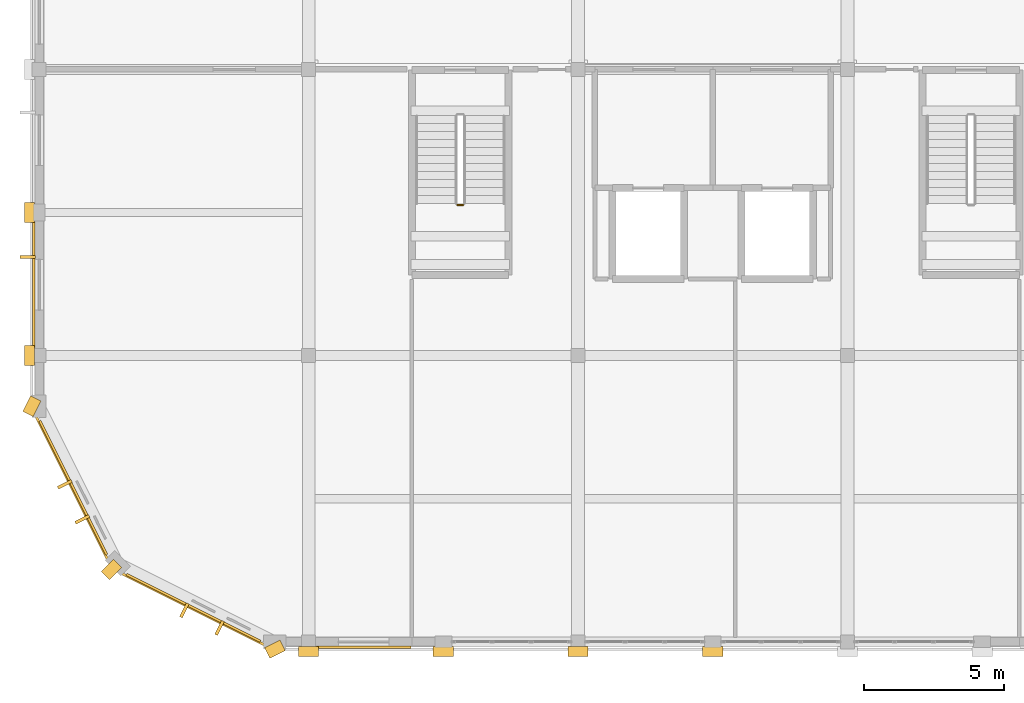
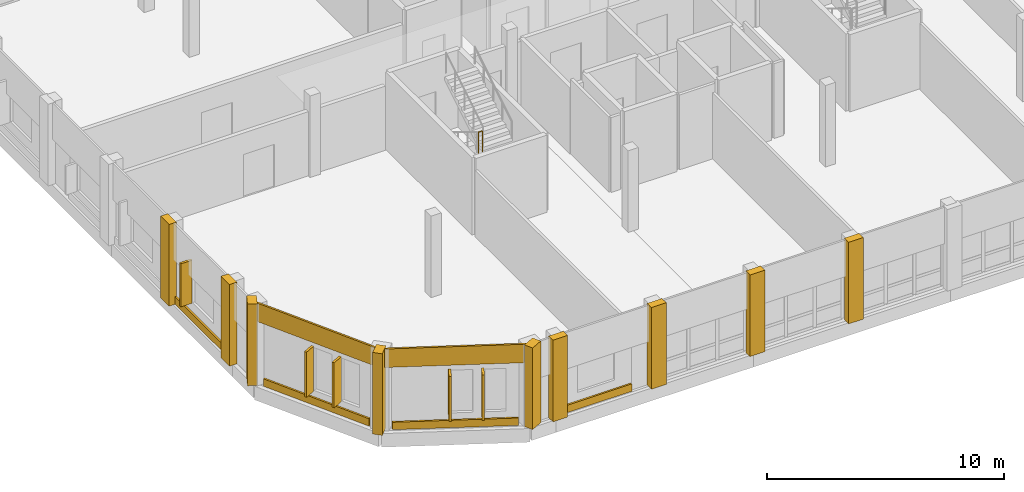
# One storey, part 24 of 29: 15 coverings, 5 shading devices, 1 railing.
"""IFC4 building model written with IfcOpenShell, lengths in metres."""

from ifc_helpers import new_model, si_unit, direction, frame, origin, origin_2d, place, context, subcontext, project, spatial, rectangle, circle, extrude, material, layer, layer_set, type_object, element, save


model = new_model("IFC4")

# Units and contexts
model_context = context("Model", 3, precision=1e-05, world=origin(), true_north=direction((0.0, 1.0)))
body_context = subcontext(model_context, "Body", "Model", "MODEL_VIEW")
ifc_project = project(units=[si_unit("LENGTHUNIT", "METRE"), si_unit("AREAUNIT", "SQUARE_METRE"), si_unit("VOLUMEUNIT", "CUBIC_METRE"), si_unit("PLANEANGLEUNIT", "RADIAN"), si_unit("MASSUNIT", "GRAM", prefix="KILO")], contexts=[model_context])

# Site, building, storey
site_placement = place(None, origin())
site = spatial("IfcSite", under=ifc_project, at=site_placement, CompositionType="ELEMENT")
building_placement = place(site_placement, origin())
building = spatial("IfcBuilding", under=site, at=building_placement, Name="Vondelvale Polytechnic", CompositionType="ELEMENT")
storey_placement = place(building_placement, frame((0.0, 0.0, 26.39990234375)))
storey = spatial("IfcBuildingStorey", under=building, at=storey_placement, Name="L06", CompositionType="ELEMENT", Elevation=26.39990234375)

# Coverings
ifc_material_1 = material(Name="Amsterdam School iron-spot clinker clay brickwork", Category="masonry")
ifc_layer_1 = layer(ifc_material_1, 0.090087890625)
ifc_layer_set_1 = layer_set([ifc_layer_1], Name="COV-BRICK-RELIEF")
covering_type = type_object("IfcCoveringType", Name="COV-BRICK-RELIEF", PredefinedType="CLADDING", material=ifc_layer_set_1)
for number, where, z_axis, x_axis, name in (
    (1, (5.4814453125, 1.1630859375, 3.25), (0.0, 0.0, 1.0), (-0.89438856037, 0.447290848419, 0.0), "L06 exterior masonry spandrel band"),
    (2, (1.1630859375, 5.4814453125, 3.25), (0.0, 0.0, 1.0), (-0.447290848419, 0.89438856037, 0.0), "L06 exterior masonry spandrel band"),
):
    element("IfcCovering", number, at=place(storey_placement, frame(where, z_axis=z_axis, x_axis=x_axis)), inside=storey, type_object=covering_type, Name=name, PredefinedType="CLADDING", context=body_context, shape_type="SweptSolid", body=[
        extrude(rectangle(XDim=6.260986328125, YDim=0.090087890625, at=origin_2d()), origin(), (0.0, 0.0, 1.0), 0.949951171875),
    ])
for number, where, z_axis, x_axis, name in (
    (3, (5.491943359375, 1.212646484375, 0.000244140625), (0.0, 0.0, 1.0), (-0.89438856037, 0.447290848419, 0.0), "L06 exterior corbelled masonry relief band"),
    (4, (1.212646484375, 5.491943359375, 0.000244140625), (0.0, 0.0, 1.0), (-0.447290848419, 0.89438856037, 0.0), "L06 exterior corbelled masonry relief band"),
):
    element("IfcCovering", number, at=place(storey_placement, frame(where, z_axis=z_axis, x_axis=x_axis)), inside=storey, type_object=covering_type, Name=name, PredefinedType="CLADDING", context=body_context, shape_type="SweptSolid", body=[
        extrude(rectangle(XDim=5.330078125, YDim=0.090087890625, at=origin_2d()), origin(), (0.0, 0.0, 1.0), 0.3798828125),
    ])
covering_1_placement = place(storey_placement, frame((11.56298828125, -0.19091796875, 0.000244140625), z_axis=(0.0, 0.0, 1.0), x_axis=(-1.0, 0.0, 0.0)))
element("IfcCovering", 5, at=covering_1_placement, inside=storey, type_object=covering_type, Name="L06 exterior corbelled masonry relief band", PredefinedType="CLADDING", context=body_context, shape_type="SweptSolid", body=[
    extrude(rectangle(XDim=3.364013671875, YDim=0.090087890625, at=origin_2d()), origin(), (0.0, 0.0, 1.0), 0.3798828125),
])
covering_2_placement = place(storey_placement, frame((-0.19091796875, 12.72509765625, 0.000244140625), z_axis=(0.0, 0.0, 1.0), x_axis=(0.0, 1.0, 0.0)))
element("IfcCovering", 6, at=covering_2_placement, inside=storey, type_object=covering_type, Name="L06 exterior corbelled masonry relief band", PredefinedType="CLADDING", context=body_context, shape_type="SweptSolid", body=[
    extrude(rectangle(XDim=4.488037109375, YDim=0.090087890625, at=origin_2d()), origin(), (0.0, 0.0, 1.0), 0.3798828125),
])
for number, where, z_axis, x_axis, name in (
    (7, (9.60009765625, -0.340087890625, 0.0), (0.0, 0.0, 1.0), (1.0, 0.0, 0.0), "L06 Classical street pilaster"),
    (8, (14.39990234375, -0.340087890625, 0.0), (0.0, 0.0, 1.0), (1.0, 0.0, 0.0), "L06 Classical street pilaster"),
    (9, (19.199951171875, -0.340087890625, 0.0), (0.0, 0.0, 1.0), (1.0, 0.0, 0.0), "L06 Classical street pilaster"),
    (10, (24.0, -0.340087890625, 0.0), (0.0, 0.0, 1.0), (1.0, 0.0, 0.0), "L06 Classical street pilaster"),
):
    element("IfcCovering", number, at=place(storey_placement, frame(where, z_axis=z_axis, x_axis=x_axis)), inside=storey, type_object=covering_type, Name=name, PredefinedType="CLADDING", context=body_context, shape_type="SweptSolid", body=[
        extrude(rectangle(XDim=0.719970703125, YDim=0.360107421875, at=origin_2d()), origin(), (0.0, 0.0, 1.0), 4.199951171875),
    ])
for number, where, z_axis, x_axis, name in (
    (11, (-0.340087890625, 10.199951171875, 0.0), (0.0, 0.0, 1.0), (1.0, 0.0, 0.0), "L06 Classical street pilaster"),
    (12, (-0.340087890625, 15.300048828125, 0.0), (0.0, 0.0, 1.0), (1.0, 0.0, 0.0), "L06 Classical street pilaster"),
):
    element("IfcCovering", number, at=place(storey_placement, frame(where, z_axis=z_axis, x_axis=x_axis)), inside=storey, type_object=covering_type, Name=name, PredefinedType="CLADDING", context=body_context, shape_type="SweptSolid", body=[
        extrude(rectangle(XDim=0.360107421875, YDim=0.719970703125, at=origin_2d()), origin(), (0.0, 0.0, 1.0), 4.199951171875),
    ])
for number, where, z_axis, x_axis, name in (
    (13, (8.39990234375, -0.260009765625, 0.0), (0.0, 0.0, 1.0), (0.894934361602, 0.44619781311, 0.0), "L06 Amsterdam School turret buttress rib"),
    (14, (2.580078125, 2.580078125, 0.0), (0.0, 0.0, 1.0), (0.707106781187, 0.707106781187, 0.0), "L06 Amsterdam School turret buttress rib"),
    (15, (-0.260009765625, 8.39990234375, 0.0), (0.0, 0.0, 1.0), (0.44619781311, 0.894934361602, 0.0), "L06 Amsterdam School turret buttress rib"),
):
    element("IfcCovering", number, at=place(storey_placement, frame(where, z_axis=z_axis, x_axis=x_axis)), inside=storey, type_object=covering_type, Name=name, PredefinedType="CLADDING", context=body_context, shape_type="SweptSolid", body=[
        extrude(rectangle(XDim=0.6201171875, YDim=0.419921875, at=origin_2d()), origin(), (0.0, 0.0, 1.0), 4.199951171875),
    ])

# Railing
ifc_material_2 = material(Name="Brushed architectural stainless and zinc-coated metal")
ifc_layer_2 = layer(ifc_material_2, 0.050048828125)
ifc_layer_set_2 = layer_set([ifc_layer_2], Name="RL-STAIR-GUARD")
railing_type = type_object("IfcRailingType", Name="RL-STAIR-GUARD", PredefinedType="GUARDRAIL", material=ifc_layer_set_2)
railing_placement = place(storey_placement, frame((14.89990234375, 15.56494140625, 2.10009765625)))
element("IfcRailing", 16, at=railing_placement, inside=storey, type_object=railing_type, Name="L06 ST-03 stair guard 2", PredefinedType="GUARDRAIL", context=body_context, shape_type="SweptSolid", body=[
    extrude(circle(Radius=0.02392578125, at=origin_2d()), frame((0.0, 0.0, 1.076171875), z_axis=(1.0, 0.0, 0.0), x_axis=(0.0, 1.0, 0.0)), (0.0, 0.0, 1.0), 0.2001953125),
    extrude(circle(Radius=0.02099609375, at=origin_2d()), origin(), (0.0, 0.0, 1.0), 1.052001953125),
    extrude(circle(Radius=0.02099609375, at=origin_2d()), frame((0.2001953125, 0.0, 0.0)), (0.0, 0.0, 1.0), 1.052001953125),
])

# Shading devices
ifc_material_3 = material(Name="Kiln-fired architectural terracotta", Category="masonry")
shading_device_type = type_object("IfcShadingDeviceType", Name="SHD-TERRA-FIN-550", PredefinedType="JALOUSIE", material=ifc_material_3)
for number, where, z_axis, x_axis, name in (
    (17, (6.427001953125, 0.5, 0.64013671875), (0.0, 0.0, 1.0), (-0.89438856037, 0.447290848419, 0.0), "L06 vertical terracotta solar fin"),
    (18, (5.1748046875, 1.126220703125, 0.64013671875), (0.0, 0.0, 1.0), (-0.89438856037, 0.447290848419, 0.0), "L06 vertical terracotta solar fin"),
    (19, (1.533203125, 4.361083984375, 0.64013671875), (0.0, 0.0, 1.0), (-0.447290848419, 0.89438856037, 0.0), "L06 vertical terracotta solar fin"),
    (20, (0.906982421875, 5.613037109375, 0.64013671875), (0.0, 0.0, 1.0), (-0.447290848419, 0.89438856037, 0.0), "L06 vertical terracotta solar fin"),
):
    element("IfcShadingDevice", number, at=place(storey_placement, frame(where, z_axis=z_axis, x_axis=x_axis)), inside=storey, type_object=shading_device_type, Name=name, PredefinedType="JALOUSIE", context=body_context, shape_type="SweptSolid", body=[
        extrude(rectangle(XDim=0.110107421875, YDim=0.550048828125, at=origin_2d()), origin(), (0.0, 0.0, 1.0), 2.320068359375),
    ])
shading_device_placement = place(storey_placement, frame((-0.409912109375, 13.715087890625, 0.7900390625), z_axis=(0.0, 0.0, 1.0), x_axis=(0.0, 1.0, 0.0)))
element("IfcShadingDevice", 21, at=shading_device_placement, inside=storey, type_object=shading_device_type, Name="L06 vertical terracotta solar fin", PredefinedType="JALOUSIE", context=body_context, shape_type="SweptSolid", body=[
    extrude(rectangle(XDim=0.110107421875, YDim=0.550048828125, at=origin_2d()), origin(), (0.0, 0.0, 1.0), 2.219970703125),
])

save(model, "model.ifc")
